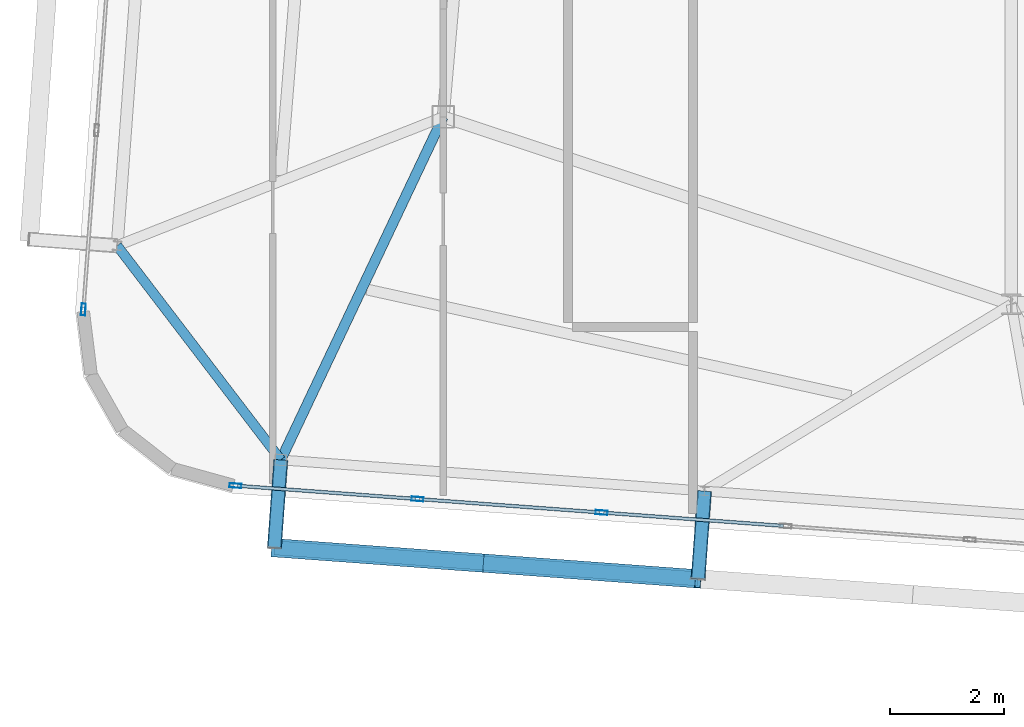
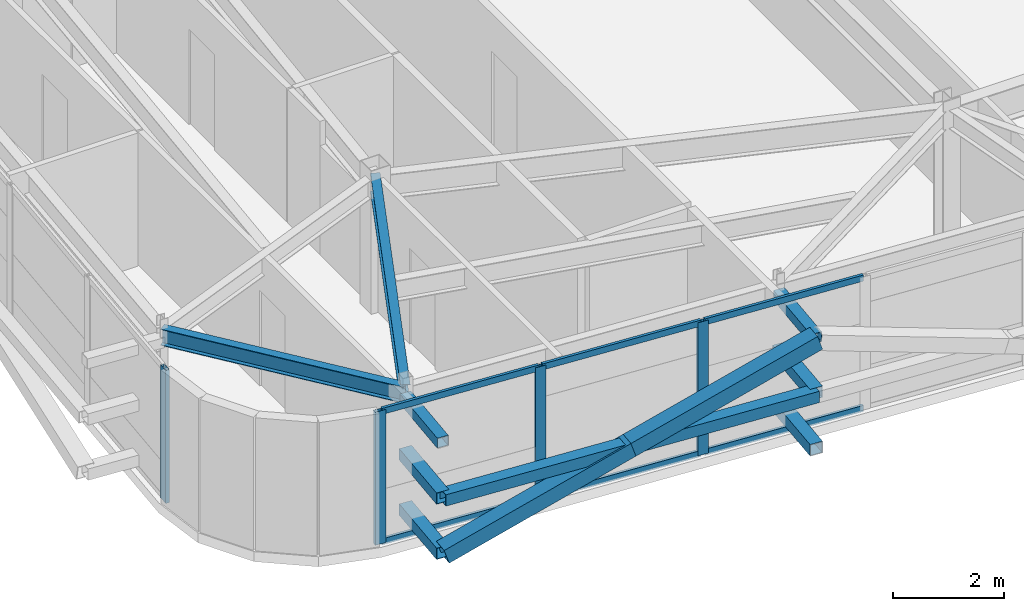
# One storey, part 9 of 42: 19 members, 2 beams, 2 elements without a shape of their own.
"""IFC4 building model written with IfcOpenShell, lengths in metres."""

import ifcopenshell
import ifcopenshell.guid

model = None  # the IFC model being written
_history = None  # IfcOwnerHistory: only IFC2X3 demands one
_inside = {}  # id of a spatial element -> (the spatial element, [elements in it])
_under = {}  # id of a project, library or spatial element -> (it, [spatial elements below it])
_declared = {}  # id of a project -> (the project, [libraries it declares])
_typed = {}  # id of a type object -> (the type object, [elements of that type])
_made_of = {}  # id of a material, layer set ... -> (it, [elements and type objects made of it])


def new_model(schema):
    """Start an empty IFC model of exactly this schema.

    Asked for "IFC4X3", IfcOpenShell would pick the latest addendum, in which some entities
    have other attributes; the version numbers below select the first issue.
    IFC2X3 requires an IfcOwnerHistory on every rooted entity: one is made here for all.
    """
    global model, _history
    if schema == "IFC4X3":
        model = ifcopenshell.file(schema_version=(4, 3, 0, 0))
    else:
        model = ifcopenshell.file(schema=schema)
    _inside.clear()
    _under.clear()
    _declared.clear()
    _typed.clear()
    _made_of.clear()
    _history = None
    if model.schema == "IFC2X3":
        org = make("IfcOrganization", Name="unknown")
        user = make(
            "IfcPersonAndOrganization",
            ThePerson=make("IfcPerson", FamilyName="unknown"),
            TheOrganization=org,
        )
        app = make(
            "IfcApplication",
            ApplicationDeveloper=org,
            Version="unknown",
            ApplicationFullName="unknown",
            ApplicationIdentifier="unknown",
        )
        _history = make(
            "IfcOwnerHistory",
            OwningUser=user,
            OwningApplication=app,
            ChangeAction="ADDED",
            CreationDate=0,
        )
    return model


def make(cls, **values):
    """One entity of the class cls with the attributes given. An attribute that is None is left unset."""
    return model.create_entity(
        cls, **{name: value for name, value in values.items() if value is not None}
    )


def rooted(cls, **values):
    """An entity with a GlobalId (a new one), such as an element, a storey or a relation."""
    return make(cls, GlobalId=ifcopenshell.guid.new(), OwnerHistory=_history, **values)


def si_unit(unit_type, name, prefix=None):
    """IfcSIUnit, for example si_unit("LENGTHUNIT", "METRE", prefix="MILLI")."""
    return make("IfcSIUnit", UnitType=unit_type, Prefix=prefix, Name=name)


def assignment(units):
    """IfcUnitAssignment: the units of a project."""
    return None if units is None else make("IfcUnitAssignment", Units=units)


def point(xyz):
    """IfcCartesianPoint."""
    return None if xyz is None else make("IfcCartesianPoint", Coordinates=xyz)


def direction(xyz):
    """IfcDirection."""
    return None if xyz is None else make("IfcDirection", DirectionRatios=xyz)


def frame(location, z_axis=None, x_axis=None):
    """IfcAxis2Placement3D, a coordinate frame: its origin and axes. An axis left out is left unset."""
    return make(
        "IfcAxis2Placement3D",
        Location=point(location),
        Axis=direction(z_axis),
        RefDirection=direction(x_axis),
    )


def frame_2d(location, x_axis=None):
    """IfcAxis2Placement2D, a coordinate frame in the plane: its origin and x axis."""
    return make(
        "IfcAxis2Placement2D", Location=point(location), RefDirection=direction(x_axis)
    )


def origin():
    """The frame at (0, 0, 0) with its axes left unset."""
    return frame((0.0, 0.0, 0.0))


def origin_2d():
    """The frame at (0, 0) in the plane with its x axis left unset."""
    return frame_2d((0.0, 0.0))


def place(relative_to, where):
    """IfcLocalPlacement: puts the frame where relative to a parent placement (None: the world)."""
    return make(
        "IfcLocalPlacement", PlacementRelTo=relative_to, RelativePlacement=where
    )


def context(
    kind, dimensions, precision=None, world=None, true_north=None, identifier=None
):
    """IfcGeometricRepresentationContext, for example the 3D "Model" context."""
    return make(
        "IfcGeometricRepresentationContext",
        ContextIdentifier=identifier,
        ContextType=kind,
        CoordinateSpaceDimension=dimensions,
        Precision=precision,
        WorldCoordinateSystem=world,
        TrueNorth=true_north,
    )


def subcontext(parent, identifier, kind, view, scale=None):
    """IfcGeometricRepresentationSubContext, for example "Body" below "Model"."""
    return make(
        "IfcGeometricRepresentationSubContext",
        ContextIdentifier=identifier,
        ContextType=kind,
        ParentContext=parent,
        TargetScale=scale,
        TargetView=view,
    )


def project(units=None, contexts=None):
    """IfcProject with its units and contexts."""
    return rooted(
        "IfcProject",
        Name="project",
        RepresentationContexts=contexts,
        UnitsInContext=assignment(units),
    )


def spatial(cls, under=None, at=None, **own):
    """A site, building, storey or space (cls), placed at a placement, below another one or the project."""
    s = rooted(cls, ObjectPlacement=at, **own)
    if under is not None:
        _under.setdefault(under.id(), (under, []))[1].append(s)
    return s


def profile(cls, at=None, kind="AREA", **sizes):
    """A parametric profile (cls). Its sizes go by their IFC names, for example OverallWidth=200.0."""
    return make(cls, ProfileType=kind, Position=at, **sizes)


def hollow_rectangle(**sizes):
    """IfcRectangleHollowProfileDef."""
    return profile("IfcRectangleHollowProfileDef", **sizes)


def i_section(**sizes):
    """IfcIShapeProfileDef."""
    return profile("IfcIShapeProfileDef", **sizes)


def extrude(swept, where, along, depth):
    """IfcExtrudedAreaSolid: the profile swept, set in the frame where, extruded along a direction by depth."""
    return make(
        "IfcExtrudedAreaSolid",
        SweptArea=swept,
        Position=where,
        ExtrudedDirection=direction(along),
        Depth=depth,
    )


def shape(context_of_items, identifier, shape_type, items):
    """IfcShapeRepresentation: the items that make up one representation, for example the "Body"."""
    return make(
        "IfcShapeRepresentation",
        ContextOfItems=context_of_items,
        RepresentationIdentifier=identifier,
        RepresentationType=shape_type,
        Items=items,
    )


def source(mapping_origin, context_of_items, identifier, shape_type, items):
    """IfcRepresentationMap: a shape defined once, which mapped items show again and again."""
    return make(
        "IfcRepresentationMap",
        MappingOrigin=mapping_origin,
        MappedRepresentation=shape(context_of_items, identifier, shape_type, items),
    )


def transform(
    local_origin,
    x_axis=None,
    y_axis=None,
    z_axis=None,
    scale=None,
    scale2=None,
    scale3=None,
    uniform=True,
):
    """IfcCartesianTransformationOperator3D, or its non-uniform kind. x_axis, y_axis, z_axis: its Axis1, 2, 3."""
    if uniform:
        return make(
            "IfcCartesianTransformationOperator3D",
            Axis1=direction(x_axis),
            Axis2=direction(y_axis),
            LocalOrigin=point(local_origin),
            Scale=scale,
            Axis3=direction(z_axis),
        )
    return make(
        "IfcCartesianTransformationOperator3DnonUniform",
        Axis1=direction(x_axis),
        Axis2=direction(y_axis),
        LocalOrigin=point(local_origin),
        Scale=scale,
        Axis3=direction(z_axis),
        Scale2=scale2,
        Scale3=scale3,
    )


def mapped(mapping_source, mapping_target):
    """IfcMappedItem: shows the shape of a source again, moved by a transform."""
    return make(
        "IfcMappedItem", MappingSource=mapping_source, MappingTarget=mapping_target
    )


def material(Name=None, Category=None):
    """IfcMaterial."""
    return make("IfcMaterial", Name=Name, Category=Category)


def layer(
    of_material, thickness, ventilated=None, Name=None, Category=None, Priority=None
):
    """IfcMaterialLayer: one layer of a wall or slab, of a material (None: an air gap)."""
    return make(
        "IfcMaterialLayer",
        Material=of_material,
        LayerThickness=thickness,
        IsVentilated=ventilated,
        Name=Name,
        Category=Category,
        Priority=Priority,
    )


def layer_set(layers, Name=None):
    """IfcMaterialLayerSet."""
    return make("IfcMaterialLayerSet", MaterialLayers=layers, LayerSetName=Name)


def material_profile(
    of_material, cross_section, Name=None, Category=None, Priority=None
):
    """IfcMaterialProfile: a cross section and its material."""
    return make(
        "IfcMaterialProfile",
        Name=Name,
        Material=of_material,
        Profile=cross_section,
        Priority=Priority,
        Category=Category,
    )


def profile_set(profiles, Name=None, composite=None):
    """IfcMaterialProfileSet."""
    return make(
        "IfcMaterialProfileSet",
        Name=Name,
        MaterialProfiles=profiles,
        CompositeProfile=composite,
    )


def made_of(thing, what):
    """Note that an element or type object is made of a material, layer set ...; save() writes the relation."""
    if what is not None:
        _made_of.setdefault(what.id(), (what, []))[1].append(thing)
    return thing


def type_object(cls, material=None, **own):
    """A type object (cls), such as IfcWallType, which elements share."""
    return made_of(rooted(cls, **own), material)


def element(
    cls,
    number,
    at=None,
    inside=None,
    cuts=None,
    type_object=None,
    material=None,
    context=None,
    identifier="Body",
    shape_type=None,
    held_by="IfcProductDefinitionShape",
    body=None,
    shapes=None,
    **own,
):
    """One element of the class cls, such as IfcWall. Its Tag is "e" and its number.

    at: its placement. inside: the storey or other place that contains it. cuts: it is an
    opening in that element (IfcRelVoidsElement). A single representation is given by context,
    identifier, shape_type and body (its items); several are given by shapes. held_by: the class
    of the entity that holds the representations. save() writes the other relations.
    """
    e = rooted(cls, Tag="e%d" % number, ObjectPlacement=at, **own)
    if body is not None:
        shapes = [shape(context, identifier, shape_type, body)]
    if shapes is not None:
        e.Representation = make(held_by, Representations=shapes)
    if inside is not None:
        _inside.setdefault(inside.id(), (inside, []))[1].append(e)
    if cuts is not None:
        rooted(
            "IfcRelVoidsElement", RelatingBuildingElement=cuts, RelatedOpeningElement=e
        )
    if type_object is not None:
        _typed.setdefault(type_object.id(), (type_object, []))[1].append(e)
    return made_of(e, material)


def aggregate(whole, parts):
    """IfcRelAggregates: a whole, such as a stair, and the parts it consists of."""
    return rooted("IfcRelAggregates", RelatingObject=whole, RelatedObjects=parts)


def save(model, path):
    """Write the relations noted so far, then the file.

    IfcRelAggregates (storeys below a building ...), IfcRelContainedInSpatialStructure (elements
    in a storey), IfcRelDefinesByType, IfcRelAssociatesMaterial and IfcRelDeclares: one each for
    every whole, place, type object, material and project.
    """
    for whole, parts in _under.values():
        aggregate(whole, parts)
    for where, things in _inside.values():
        rooted(
            "IfcRelContainedInSpatialStructure",
            RelatedElements=things,
            RelatingStructure=where,
        )
    for kind, things in _typed.values():
        rooted("IfcRelDefinesByType", RelatedObjects=things, RelatingType=kind)
    for what, things in _made_of.values():
        rooted("IfcRelAssociatesMaterial", RelatedObjects=things, RelatingMaterial=what)
    for by, libraries in _declared.values():
        rooted("IfcRelDeclares", RelatingContext=by, RelatedDefinitions=libraries)
    model.write(path)


model = new_model("IFC4")

# Units and contexts
model_context = context("Model", 3, precision=1e-05, world=origin(), true_north=direction((0.0, 1.0)))
body_context = subcontext(model_context, "Body", "Model", "MODEL_VIEW")
ifc_project = project(units=[si_unit("LENGTHUNIT", "METRE"), si_unit("AREAUNIT", "SQUARE_METRE"), si_unit("VOLUMEUNIT", "CUBIC_METRE"), si_unit("PLANEANGLEUNIT", "RADIAN"), si_unit("MASSUNIT", "GRAM", prefix="KILO")], contexts=[model_context])

# Site, building, storey
site_placement = place(None, origin())
site = spatial("IfcSite", under=ifc_project, at=site_placement, CompositionType="ELEMENT")
building_placement = place(site_placement, origin())
building = spatial("IfcBuilding", under=site, at=building_placement, Name="Taldren Reach Tower", CompositionType="ELEMENT")
storey_placement = place(building_placement, frame((0.0, 0.0, 224.0)))
storey = spatial("IfcBuildingStorey", under=building, at=storey_placement, Name="L68", CompositionType="ELEMENT", Elevation=224.0)

# Members
ifc_material_1 = material(Name="Steel Gr 350 (C350L0)", Category="steel")
ifc_material_profile_1 = material_profile(ifc_material_1, hollow_rectangle(XDim=0.25, YDim=0.25, WallThickness=0.010009765625, at=origin_2d()), Name="250x250x10.0SHS")
ifc_profile_set_1 = profile_set([ifc_material_profile_1], Name="Steel Gr 350 (C350L0)")
member_type_1 = type_object("IfcMemberType", Name="MB-POST250", PredefinedType="POST", material=ifc_profile_set_1)
shared_shape_1 = source(origin(), body_context, "Body", "SweptSolid", [
    extrude(hollow_rectangle(XDim=0.25, YDim=0.25, WallThickness=0.010009765625, at=origin_2d()), origin(), (0.0, 0.0, 1.0), 1.5498046875),
])
for number, where, z_axis, x_axis, name in (
    (1, (22.6005859375, 5.912353515625, 0.219970703125), (-0.073250797913, -0.997313551801, 0.0), (0.997313551801, -0.073250797913, 0.0), "Exoskeleton base diaphragm tie strut B5-S2 L68"),
    (2, (22.6005859375, 5.912353515625, 1.43505859375), (-0.073250797913, -0.997313551801, 0.0), (0.997313551801, -0.073250797913, 0.0), "Exoskeleton mid-tier diaphragm tie B5-S2 L68"),
):
    element("IfcMember", number, at=place(storey_placement, frame(where, z_axis=z_axis, x_axis=x_axis)), inside=storey, type_object=member_type_1, Name=name, PredefinedType="POST", context=body_context, shape_type="MappedRepresentation", body=[
        mapped(shared_shape_1, transform((0.0, 0.0, 0.0), scale=1.0)),
    ])
shared_shape_2 = source(origin(), body_context, "Body", "SweptSolid", [
    extrude(hollow_rectangle(XDim=0.25, YDim=0.25, WallThickness=0.010009765625, at=origin_2d()), origin(), (0.0, 0.0, 1.0), 1.550048828125),
])
for number, where, z_axis, x_axis, name in (
    (3, (15.140625, 6.460205078125, 0.219970703125), (-0.07323929162, -0.997314396849, 0.0), (0.997314396849, -0.07323929162, 0.0), "Exoskeleton base diaphragm tie strut B5-S1 L68"),
    (4, (15.140625, 6.460205078125, 1.43505859375), (-0.07323929162, -0.997314396849, 0.0), (0.997314396849, -0.07323929162, 0.0), "Exoskeleton mid-tier diaphragm tie B5-S1 L68"),
):
    element("IfcMember", number, at=place(storey_placement, frame(where, z_axis=z_axis, x_axis=x_axis)), inside=storey, type_object=member_type_1, Name=name, PredefinedType="POST", context=body_context, shape_type="MappedRepresentation", body=[
        mapped(shared_shape_2, transform((0.0, 0.0, 0.0), scale=1.0)),
    ])
ifc_material_2 = material(Name="Steel Gr 450 (C450L0)", Category="steel")
ifc_material_profile_2 = material_profile(ifc_material_2, hollow_rectangle(XDim=0.219970703125, YDim=0.219970703125, WallThickness=0.00830078125, at=origin_2d()), Name="220x220x8.2SHS")
ifc_profile_set_2 = profile_set([ifc_material_profile_2], Name="Steel Gr 450 (C450L0)")
member_type_2 = type_object("IfcMemberType", Name="MB-TIE219", PredefinedType="STRUT", material=ifc_profile_set_2)
shared_shape_3 = source(origin(), body_context, "Body", "SweptSolid", [
    extrude(hollow_rectangle(XDim=0.219970703125, YDim=0.219970703125, WallThickness=0.00830078125, at=origin_2d()), origin(), (0.0, 0.0, 1.0), 1.5498046875),
])
member_1_placement = place(storey_placement, frame((22.6005859375, 5.912353515625, 2.64990234375), z_axis=(-0.073250797913, -0.997313551801, 0.0), x_axis=(0.997313551801, -0.073250797913, 0.0)))
element("IfcMember", 5, at=member_1_placement, inside=storey, type_object=member_type_2, Name="Exoskeleton diaphragm tie strut B5-S2 L68", PredefinedType="STRUT", context=body_context, shape_type="MappedRepresentation", body=[
    mapped(shared_shape_3, transform((0.0, 0.0, 0.0), scale=1.0)),
])
shared_shape_4 = source(origin(), body_context, "Body", "SweptSolid", [
    extrude(hollow_rectangle(XDim=0.219970703125, YDim=0.219970703125, WallThickness=0.00830078125, at=origin_2d()), origin(), (0.0, 0.0, 1.0), 1.550048828125),
])
member_2_placement = place(storey_placement, frame((15.140625, 6.460205078125, 2.64990234375), z_axis=(-0.07323929162, -0.997314396849, 0.0), x_axis=(0.997314396849, -0.07323929162, 0.0)))
element("IfcMember", 6, at=member_2_placement, inside=storey, type_object=member_type_2, Name="Exoskeleton diaphragm tie strut B5-S1 L68", PredefinedType="STRUT", context=body_context, shape_type="MappedRepresentation", body=[
    mapped(shared_shape_4, transform((0.0, 0.0, 0.0), scale=1.0)),
])

# Beams
ifc_material_3 = material(Name="Steel Gr 350 (350PLUS)", Category="steel")
ifc_material_profile_3 = material_profile(ifc_material_3, i_section(OverallWidth=0.172119140625, OverallDepth=0.35888671875, WebThickness=0.008056640625, FlangeThickness=0.012939453125, at=origin_2d()), Name="360UB56.7")
ifc_profile_set_3 = profile_set([ifc_material_profile_3], Name="Steel Gr 350 (350PLUS)")
beam_type_1 = type_object("IfcBeamType", Name="SP-UB360", PredefinedType="SPANDREL", material=ifc_profile_set_3)
shared_shape_5 = source(origin(), body_context, "Body", "SweptSolid", [
    extrude(i_section(OverallWidth=0.172119140625, OverallDepth=0.35888671875, WebThickness=0.008056640625, FlangeThickness=0.012939453125, at=origin_2d()), origin(), (0.0, 0.0, 1.0), 4.74609375),
])
beam_1_placement = place(storey_placement, frame((12.259033203125, 10.2314453125, 2.75048828125), z_axis=(0.607144568334, -0.794591387533, 0.0), x_axis=(0.794591387533, 0.607144568334, 0.0)))
element("IfcBeam", 7, at=beam_1_placement, inside=storey, type_object=beam_type_1, Name="Perimeter spandrel B5 W1-S1 L68", PredefinedType="SPANDREL", context=body_context, shape_type="MappedRepresentation", body=[
    mapped(shared_shape_5, transform((0.0, 0.0, 0.0), scale=1.0)),
])
ifc_material_profile_4 = material_profile(ifc_material_3, i_section(OverallWidth=0.177978515625, OverallDepth=0.406005859375, WebThickness=0.0078125, FlangeThickness=0.0126953125, at=origin_2d()), Name="410UB59.7")
ifc_profile_set_4 = profile_set([ifc_material_profile_4], Name="Steel Gr 350 (350PLUS)")
beam_type_2 = type_object("IfcBeamType", Name="BM-UB410", PredefinedType="BEAM", material=ifc_profile_set_4)
shared_shape_6 = source(origin(), body_context, "Body", "SweptSolid", [
    extrude(i_section(OverallWidth=0.177978515625, OverallDepth=0.406005859375, WebThickness=0.0078125, FlangeThickness=0.0126953125, at=origin_2d()), origin(), (0.0, 0.0, 1.0), 6.682373046875),
])
beam_2_placement = place(storey_placement, frame((18.0, 12.5, 2.72705078125), z_axis=(-0.427893164494, -0.903829320049, 0.0), x_axis=(0.903829320049, -0.427893164494, 0.0)))
element("IfcBeam", 8, at=beam_2_placement, inside=storey, type_object=beam_type_2, Name="Primary floor girder B5-S1 L68", PredefinedType="BEAM", context=body_context, shape_type="MappedRepresentation", body=[
    mapped(shared_shape_6, transform((0.0, 0.0, 0.0), scale=1.0)),
])

# Members
ifc_material_profile_5 = material_profile(ifc_material_2, hollow_rectangle(XDim=0.324951171875, YDim=0.324951171875, WallThickness=0.0126953125, at=origin_2d()), Name="325x325x12.7SHS")
ifc_profile_set_5 = profile_set([ifc_material_profile_5], Name="Steel Gr 450 (C450L0)")
member_type_3 = type_object("IfcMemberType", Name="MB-BR324", PredefinedType="BRACE", material=ifc_profile_set_5)
shared_shape_7 = source(origin(), body_context, "Body", "SweptSolid", [
    extrude(hollow_rectangle(XDim=0.324951171875, YDim=0.324951171875, WallThickness=0.0126953125, at=origin_2d()), origin(), (0.0, 0.0, 1.0), 3.932373046875),
])
for number, where, z_axis, x_axis, name in (
    (9, (15.027099609375, 4.914306640625, 0.219970703125), (0.948511132845, -0.069657644394, 0.308989390507), (0.07324169103, 0.997314220642, 0.0), "Exoskeleton Diagrid Brace B5-S1 L68"),
    (10, (18.757080078125, 4.640380859375, 1.43505859375), (0.948533427308, -0.069597196754, 0.308934568287), (0.073176762938, 0.997318986767, 0.0), "Exoskeleton Diagrid Brace B5-S1 L68"),
):
    element("IfcMember", number, at=place(storey_placement, frame(where, z_axis=z_axis, x_axis=x_axis)), inside=storey, type_object=member_type_3, Name=name, PredefinedType="BRACE", context=body_context, shape_type="MappedRepresentation", body=[
        mapped(shared_shape_7, transform((0.0, 0.0, 0.0), scale=1.0)),
    ])
shared_shape_8 = source(origin(), body_context, "Body", "SweptSolid", [
    extrude(hollow_rectangle(XDim=0.25, YDim=0.25, WallThickness=0.010009765625, at=origin_2d()), origin(), (0.0, 0.0, 1.0), 7.47998046875),
])
member_3_placement = place(storey_placement, frame((15.027099609375, 4.914306640625, 1.43505859375), z_axis=(0.997316604227, -0.0732092271, 0.0), x_axis=(0.0732092271, 0.997316604227, 0.0)))
element("IfcMember", 11, at=member_3_placement, inside=storey, type_object=member_type_1, Name="Exoskeleton mid-height ring chord B5-S1 L68", PredefinedType="POST", context=body_context, shape_type="MappedRepresentation", body=[
    mapped(shared_shape_8, transform((0.0, 0.0, 0.0), scale=1.0)),
])

# Curtain wall, members
ifc_material_4 = material(Name="Aluminium and Low-E Glass Unitised System", Category="aluminium")
ifc_layer = layer(ifc_material_4, 0.159912109375)
ifc_layer_set = layer_set([ifc_layer], Name="Aluminium and Low-E Glass Unitised System")
curtain_wall_type = type_object("IfcCurtainWallType", Name="CW-SYS-6", PredefinedType="NOTDEFINED", material=ifc_layer_set)
curtain_wall_1_placement = place(storey_placement, origin())
curtain_wall_1 = element("IfcCurtainWall", 12, at=curtain_wall_1_placement, inside=storey, type_object=curtain_wall_type, Name="Unitised curtain wall CW-L68-S", PredefinedType="NOTDEFINED")
ifc_material_5 = material(Name="Anodised Aluminium 6063-T6", Category="aluminium")
ifc_material_profile_6 = material_profile(ifc_material_5, hollow_rectangle(XDim=0.074951171875, YDim=0.2099609375, WallThickness=0.00439453125, at=origin_2d()), Name="ALU-210x75x4.5RHS")
ifc_profile_set_6 = profile_set([ifc_material_profile_6], Name="Anodised Aluminium 6063-T6")
member_type_4 = type_object("IfcMemberType", Name="CW-MUL-200", PredefinedType="MULLION", material=ifc_profile_set_6)
shared_shape_9 = source(origin(), body_context, "Body", "SweptSolid", [
    extrude(hollow_rectangle(XDim=0.074951171875, YDim=0.2099609375, WallThickness=0.00439453125, at=origin_2d()), origin(), (0.0, 0.0, 1.0), 2.929931640625),
])
member_4_placement = place(storey_placement, frame((14.3427734375, 6.007568359375, 0.0), z_axis=(0.0, 0.0, 1.0), x_axis=(0.073238213716, 0.997314476006, 0.0)))
member_4 = element("IfcMember", 13, at=member_4_placement, type_object=member_type_4, Name="CW-6 mullion 1", PredefinedType="MULLION", context=body_context, shape_type="MappedRepresentation", body=[
    mapped(shared_shape_9, transform((0.0, 0.0, 0.0), scale=1.0)),
])
member_5_placement = place(storey_placement, frame((17.546630859375, 5.772216796875, 0.0), z_axis=(0.0, 0.0, 1.0), x_axis=(0.073238213716, 0.997314476006, 0.0)))
member_5 = element("IfcMember", 14, at=member_5_placement, type_object=member_type_4, Name="CW-6 mullion 2", PredefinedType="MULLION", context=body_context, shape_type="MappedRepresentation", body=[
    mapped(shared_shape_9, transform((0.0, 0.0, 0.0), scale=1.0)),
])
member_6_placement = place(storey_placement, frame((20.7880859375, 5.5341796875, 0.0), z_axis=(0.0, 0.0, 1.0), x_axis=(0.073238213716, 0.997314476006, 0.0)))
member_6 = element("IfcMember", 15, at=member_6_placement, type_object=member_type_4, Name="CW-6 mullion 3", PredefinedType="MULLION", context=body_context, shape_type="MappedRepresentation", body=[
    mapped(shared_shape_9, transform((0.0, 0.0, 0.0), scale=1.0)),
])

# Curtain wall, member
curtain_wall_2_placement = place(storey_placement, origin())
curtain_wall_2 = element("IfcCurtainWall", 16, at=curtain_wall_2_placement, inside=storey, type_object=curtain_wall_type, Name="Unitised curtain wall CW-L68-W", PredefinedType="NOTDEFINED")
member_7_placement = place(storey_placement, frame((11.665283203125, 9.109375, 0.0), z_axis=(0.0, 0.0, 1.0), x_axis=(0.997314470951, -0.073238282558, 0.0)))
member_7 = element("IfcMember", 17, at=member_7_placement, type_object=member_type_4, Name="CW-6 mullion 9", PredefinedType="MULLION", context=body_context, shape_type="MappedRepresentation", body=[
    mapped(shared_shape_9, transform((0.0, 0.0, 0.0), scale=1.0)),
])
aggregate(curtain_wall_2, [member_7])

# Member
ifc_material_profile_7 = material_profile(ifc_material_5, hollow_rectangle(XDim=0.06005859375, YDim=0.135009765625, WallThickness=0.00341796875, at=origin_2d()), Name="ALU-135x60x3.5RHS")
ifc_profile_set_7 = profile_set([ifc_material_profile_7], Name="Anodised Aluminium 6063-T6")
member_type_5 = type_object("IfcMemberType", Name="CW-TRN-150", PredefinedType="USERDEFINED", material=ifc_profile_set_7)
shared_shape_10 = source(origin(), body_context, "Body", "SweptSolid", [
    extrude(hollow_rectangle(XDim=0.06005859375, YDim=0.135009765625, WallThickness=0.00341796875, at=origin_2d()), origin(), (0.0, 0.0, 1.0), 3.13720703125),
])
member_8_placement = place(storey_placement, frame((14.38037109375, 6.004638671875, 0.030029296875), z_axis=(0.997315319572, -0.073226725633, 0.0), x_axis=(0.073226725633, 0.997315319572, 0.0)))
member_8 = element("IfcMember", 18, at=member_8_placement, type_object=member_type_5, Name="CW-6 transom 1.1", ObjectType="TRANSOM", PredefinedType="USERDEFINED", context=body_context, shape_type="MappedRepresentation", body=[
    mapped(shared_shape_10, transform((0.0, 0.0, 0.0), scale=1.0)),
])

member_9_placement = place(storey_placement, frame((14.38037109375, 6.004638671875, 2.89990234375), z_axis=(0.997315319572, -0.073226725633, 0.0), x_axis=(0.073226725633, 0.997315319572, 0.0)))
member_9 = element("IfcMember", 19, at=member_9_placement, type_object=member_type_5, Name="CW-6 transom 1.2", ObjectType="TRANSOM", PredefinedType="USERDEFINED", context=body_context, shape_type="MappedRepresentation", body=[
    mapped(shared_shape_10, transform((0.0, 0.0, 0.0), scale=1.0)),
])

shared_shape_11 = source(origin(), body_context, "Body", "SweptSolid", [
    extrude(hollow_rectangle(XDim=0.06005859375, YDim=0.135009765625, WallThickness=0.00341796875, at=origin_2d()), origin(), (0.0, 0.0, 1.0), 3.1748046875),
])
member_10_placement = place(storey_placement, frame((17.584228515625, 5.76953125, 0.030029296875), z_axis=(0.997311015151, -0.07328532635, 0.0), x_axis=(0.07328532635, 0.997311015151, 0.0)))
member_10 = element("IfcMember", 20, at=member_10_placement, type_object=member_type_5, Name="CW-6 transom 2.1", ObjectType="TRANSOM", PredefinedType="USERDEFINED", context=body_context, shape_type="MappedRepresentation", body=[
    mapped(shared_shape_11, transform((0.0, 0.0, 0.0), scale=1.0)),
])

member_11_placement = place(storey_placement, frame((17.584228515625, 5.76953125, 2.89990234375), z_axis=(0.997311015151, -0.07328532635, 0.0), x_axis=(0.07328532635, 0.997311015151, 0.0)))
member_11 = element("IfcMember", 21, at=member_11_placement, type_object=member_type_5, Name="CW-6 transom 2.2", ObjectType="TRANSOM", PredefinedType="USERDEFINED", context=body_context, shape_type="MappedRepresentation", body=[
    mapped(shared_shape_11, transform((0.0, 0.0, 0.0), scale=1.0)),
])

shared_shape_12 = source(origin(), body_context, "Body", "SweptSolid", [
    extrude(hollow_rectangle(XDim=0.06005859375, YDim=0.135009765625, WallThickness=0.00341796875, at=origin_2d()), origin(), (0.0, 0.0, 1.0), 3.175048828125),
])
member_12_placement = place(storey_placement, frame((20.825439453125, 5.531494140625, 0.030029296875), z_axis=(0.997311428111, -0.073279706322, 0.0), x_axis=(0.073279706322, 0.997311428111, 0.0)))
member_12 = element("IfcMember", 22, at=member_12_placement, type_object=member_type_5, Name="CW-6 transom 3.1", ObjectType="TRANSOM", PredefinedType="USERDEFINED", context=body_context, shape_type="MappedRepresentation", body=[
    mapped(shared_shape_12, transform((0.0, 0.0, 0.0), scale=1.0)),
])

member_13_placement = place(storey_placement, frame((20.825439453125, 5.531494140625, 2.89990234375), z_axis=(0.997311428111, -0.073279706322, 0.0), x_axis=(0.073279706322, 0.997311428111, 0.0)))
member_13 = element("IfcMember", 23, at=member_13_placement, type_object=member_type_5, Name="CW-6 transom 3.2", ObjectType="TRANSOM", PredefinedType="USERDEFINED", context=body_context, shape_type="MappedRepresentation", body=[
    mapped(shared_shape_12, transform((0.0, 0.0, 0.0), scale=1.0)),
])

aggregate(curtain_wall_1, [member_4, member_5, member_6, member_8, member_9, member_10, member_11, member_12, member_13])

save(model, "model.ifc")
